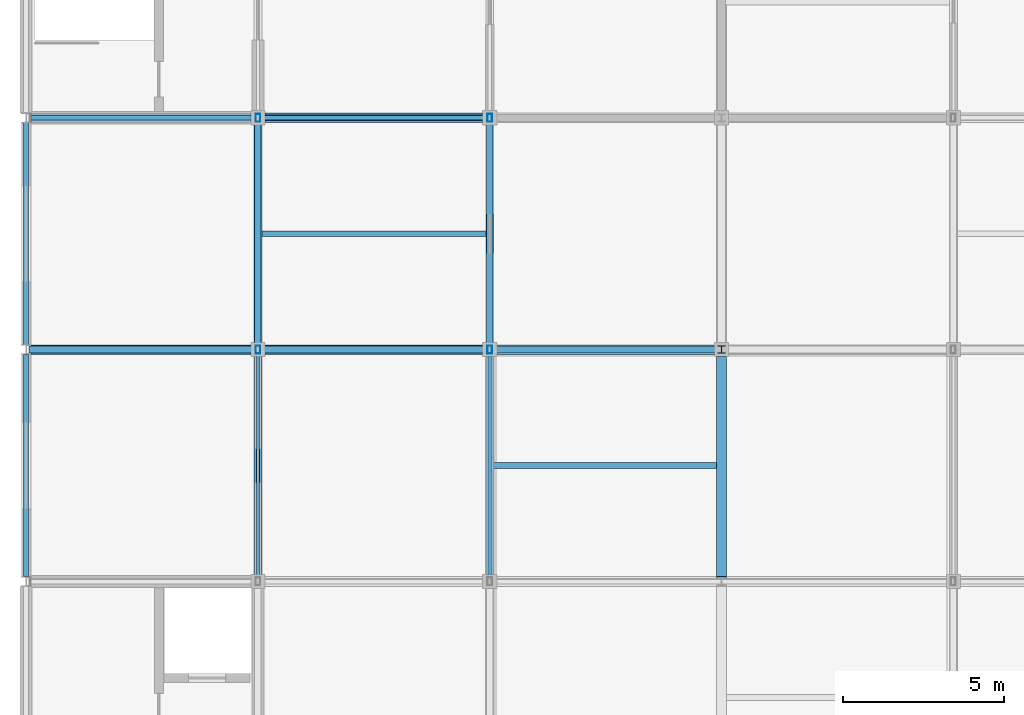
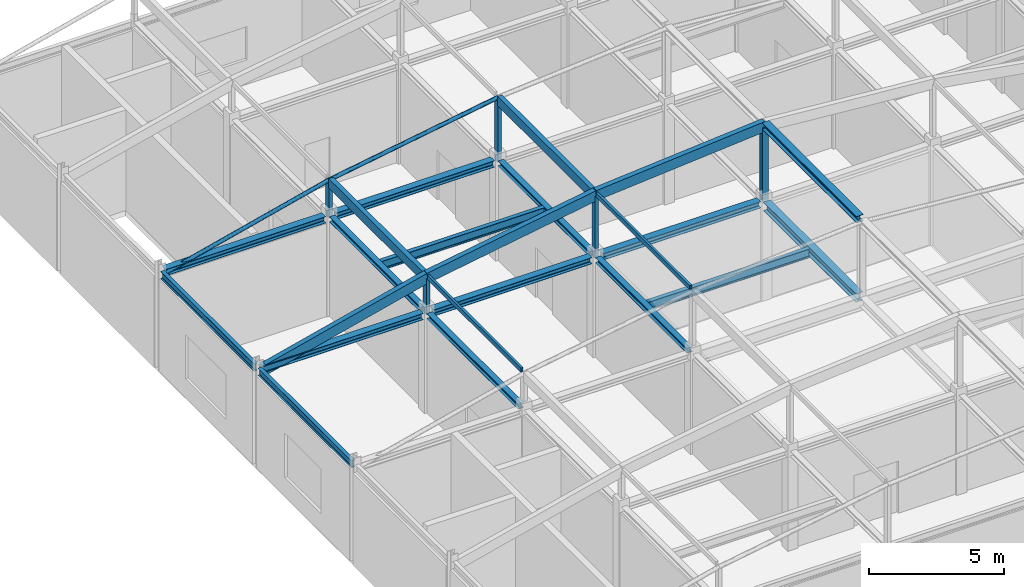
# One storey, part 9 of 23: 15 beams, 14 members.
"""IFC4 building model written with IfcOpenShell, lengths in metres."""

from ifc_helpers import new_model, si_unit, direction, frame, origin, origin_2d, place, context, subcontext, project, spatial, rectangle, hollow_rectangle, hollow_circle, i_section, extrude, material, material_profile, profile_set, type_object, element, save


model = new_model("IFC4")

# Units and contexts
model_context = context("Model", 3, precision=1e-05, world=origin(), true_north=direction((0.0, 1.0)))
body_context = subcontext(model_context, "Body", "Model", "MODEL_VIEW")
ifc_project = project(units=[si_unit("LENGTHUNIT", "METRE"), si_unit("AREAUNIT", "SQUARE_METRE"), si_unit("VOLUMEUNIT", "CUBIC_METRE"), si_unit("PLANEANGLEUNIT", "RADIAN"), si_unit("MASSUNIT", "GRAM", prefix="KILO")], contexts=[model_context])

# Site, building, storey
site_placement = place(None, origin())
site = spatial("IfcSite", under=ifc_project, at=site_placement, CompositionType="ELEMENT")
building_placement = place(site_placement, origin())
building = spatial("IfcBuilding", under=site, at=building_placement, Name="Cendaluz Park School", CompositionType="ELEMENT")
storey_placement = place(building_placement, frame((0.0, 0.0, 67.199951171875)))
storey = spatial("IfcBuildingStorey", under=building, at=storey_placement, Name="L16", CompositionType="ELEMENT", Elevation=67.199951171875)

# Beams
ifc_material_1 = material(Name="Steel S355", Category="steel")
ifc_material_profile_1 = material_profile(ifc_material_1, i_section(OverallWidth=0.300048828125, OverallDepth=0.39990234375, WebThickness=0.013916015625, FlangeThickness=0.02392578125, FilletRadius=0.027099609375, at=origin_2d()), Name="HEB 400", Category="steel")
ifc_profile_set_1 = profile_set([ifc_material_profile_1], Name="Steel S355")
beam_type_1 = type_object("IfcBeamType", Name="BM-ST02", PredefinedType="BEAM", material=ifc_profile_set_1)
beam_1_placement = place(storey_placement, frame((86.39990234375, 28.949951171875, 4.2900390625), z_axis=(0.0, 1.0, 0.0), x_axis=(-1.0, 0.0, 0.0)))
element("IfcBeam", 1, at=beam_1_placement, inside=storey, type_object=beam_type_1, Name="BM-L16-BMST02-0079", PredefinedType="BEAM", context=body_context, shape_type="SweptSolid", body=[
    extrude(i_section(OverallWidth=0.300048828125, OverallDepth=0.39990234375, WebThickness=0.013916015625, FlangeThickness=0.02392578125, FilletRadius=0.027099609375, at=origin_2d()), origin(), (0.0, 0.0, 1.0), 6.830078125),
])
ifc_material_profile_2 = material_profile(ifc_material_1, i_section(OverallWidth=0.300048828125, OverallDepth=0.300048828125, WebThickness=0.010986328125, FlangeThickness=0.01904296875, FilletRadius=0.027099609375, at=origin_2d()), Name="HEB 300", Category="steel")
ifc_profile_set_2 = profile_set([ifc_material_profile_2], Name="Steel S355")
beam_type_2 = type_object("IfcBeamType", Name="BM-ST03", PredefinedType="BEAM", material=ifc_profile_set_2)
beam_2_placement = place(storey_placement, frame((86.39990234375, 28.909912109375, 7.85009765625), z_axis=(0.0, 1.0, 0.0), x_axis=(-1.0, 0.0, 0.0)))
element("IfcBeam", 2, at=beam_2_placement, inside=storey, type_object=beam_type_2, Name="BM-L16-BMST03-0091", PredefinedType="BEAM", context=body_context, shape_type="SweptSolid", body=[
    extrude(i_section(OverallWidth=0.300048828125, OverallDepth=0.300048828125, WebThickness=0.010986328125, FlangeThickness=0.01904296875, FilletRadius=0.027099609375, at=origin_2d()), origin(), (0.0, 0.0, 1.0), 6.97998046875),
])
ifc_material_profile_3 = material_profile(ifc_material_1, i_section(OverallWidth=0.300048828125, OverallDepth=0.2900390625, WebThickness=0.009033203125, FlangeThickness=0.013916015625, FilletRadius=0.027099609375, at=origin_2d()), Name="HEA 300", Category="steel")
ifc_profile_set_3 = profile_set([ifc_material_profile_3], Name="Steel S355")
beam_type_3 = type_object("IfcBeamType", Name="BM-ST05", PredefinedType="BEAM", material=ifc_profile_set_3)
for number, where, z_axis, x_axis, name in (
    (3, (64.949951171875, 36.0, 4.344970703125), (1.0, 0.0, 0.0), (0.0, 1.0, 0.0), "BM-L16-BMST05-0003"),
    (4, (64.949951171875, 43.199951171875, 4.344970703125), (1.0, 0.0, 0.0), (0.0, 1.0, 0.0), "BM-L16-BMST05-0004"),
):
    element("IfcBeam", number, at=place(storey_placement, frame(where, z_axis=z_axis, x_axis=x_axis)), inside=storey, type_object=beam_type_3, Name=name, PredefinedType="BEAM", context=body_context, shape_type="SweptSolid", body=[
        extrude(i_section(OverallWidth=0.300048828125, OverallDepth=0.2900390625, WebThickness=0.009033203125, FlangeThickness=0.013916015625, FilletRadius=0.027099609375, at=origin_2d()), origin(), (0.0, 0.0, 1.0), 6.830078125),
    ])
for number, where, z_axis, x_axis, name in (
    (5, (72.219970703125, 36.0, 4.344970703125), (1.0, 0.0, 0.0), (0.0, 1.0, 0.0), "BM-L16-BMST05-0009"),
    (6, (72.219970703125, 43.199951171875, 4.344970703125), (1.0, 0.0, 0.0), (0.0, 1.0, 0.0), "BM-L16-BMST05-0010"),
    (7, (79.419921875, 36.0, 4.344970703125), (1.0, 0.0, 0.0), (0.0, 1.0, 0.0), "BM-L16-BMST05-0015"),
):
    element("IfcBeam", number, at=place(storey_placement, frame(where, z_axis=z_axis, x_axis=x_axis)), inside=storey, type_object=beam_type_3, Name=name, PredefinedType="BEAM", context=body_context, shape_type="SweptSolid", body=[
        extrude(i_section(OverallWidth=0.300048828125, OverallDepth=0.2900390625, WebThickness=0.009033203125, FlangeThickness=0.013916015625, FilletRadius=0.027099609375, at=origin_2d()), origin(), (0.0, 0.0, 1.0), 6.760009765625),
    ])
ifc_material_profile_4 = material_profile(ifc_material_1, i_section(OverallWidth=0.239990234375, OverallDepth=0.22998046875, WebThickness=0.008056640625, FlangeThickness=0.011962890625, FilletRadius=0.02099609375, at=origin_2d()), Name="HEA 240", Category="steel")
ifc_profile_set_4 = profile_set([ifc_material_profile_4], Name="Steel S355")
beam_type_4 = type_object("IfcBeamType", Name="BM-ST06", PredefinedType="BEAM", material=ifc_profile_set_4)
for number, where, z_axis, x_axis, name in (
    (8, (72.0, 29.02001953125, 4.375), (0.0, 1.0, 0.0), (-1.0, 0.0, 0.0), "BM-L16-BMST06-0045"),
    (9, (72.0, 36.219970703125, 4.375), (0.0, 1.0, 0.0), (-1.0, 0.0, 0.0), "BM-L16-BMST06-0046"),
    (10, (79.199951171875, 29.02001953125, 4.375), (0.0, 1.0, 0.0), (-1.0, 0.0, 0.0), "BM-L16-BMST06-0051"),
    (11, (79.199951171875, 36.219970703125, 4.375), (0.0, 1.0, 0.0), (-1.0, 0.0, 0.0), "BM-L16-BMST06-0052"),
):
    element("IfcBeam", number, at=place(storey_placement, frame(where, z_axis=z_axis, x_axis=x_axis)), inside=storey, type_object=beam_type_4, Name=name, PredefinedType="BEAM", context=body_context, shape_type="SweptSolid", body=[
        extrude(i_section(OverallWidth=0.239990234375, OverallDepth=0.22998046875, WebThickness=0.008056640625, FlangeThickness=0.011962890625, FilletRadius=0.02099609375, at=origin_2d()), origin(), (0.0, 0.0, 1.0), 6.760009765625),
    ])
ifc_material_profile_5 = material_profile(ifc_material_1, i_section(OverallWidth=0.179931640625, OverallDepth=0.39990234375, WebThickness=0.009033203125, FlangeThickness=0.013916015625, FilletRadius=0.02099609375, at=origin_2d()), Name="IPE 400", Category="steel")
ifc_profile_set_5 = profile_set([ifc_material_profile_5], Name="Steel S355")
beam_type_5 = type_object("IfcBeamType", Name="BM-ST07", PredefinedType="BEAM", material=ifc_profile_set_5)
beam_3_placement = place(storey_placement, frame((72.1201171875, 39.60009765625, 4.2900390625), z_axis=(1.0, 0.0, 0.0), x_axis=(0.0, 1.0, 0.0)))
element("IfcBeam", 12, at=beam_3_placement, inside=storey, type_object=beam_type_5, Name="BM-L16-BMST07-0081", PredefinedType="BEAM", context=body_context, shape_type="SweptSolid", body=[
    extrude(i_section(OverallWidth=0.179931640625, OverallDepth=0.39990234375, WebThickness=0.009033203125, FlangeThickness=0.013916015625, FilletRadius=0.02099609375, at=origin_2d()), origin(), (0.0, 0.0, 1.0), 6.9599609375),
])
beam_4_placement = place(storey_placement, frame((79.320068359375, 32.39990234375, 4.2900390625), z_axis=(1.0, 0.0, 0.0), x_axis=(0.0, 1.0, 0.0)))
element("IfcBeam", 13, at=beam_4_placement, inside=storey, type_object=beam_type_5, Name="BM-L16-BMST07-0082", PredefinedType="BEAM", context=body_context, shape_type="SweptSolid", body=[
    extrude(i_section(OverallWidth=0.179931640625, OverallDepth=0.39990234375, WebThickness=0.009033203125, FlangeThickness=0.013916015625, FilletRadius=0.02099609375, at=origin_2d()), origin(), (0.0, 0.0, 1.0), 6.929931640625),
])
ifc_material_profile_6 = material_profile(ifc_material_1, i_section(OverallWidth=0.159912109375, OverallDepth=0.330078125, WebThickness=0.008056640625, FlangeThickness=0.011962890625, FilletRadius=0.01806640625, at=origin_2d()), Name="IPE 330", Category="steel")
ifc_profile_set_6 = profile_set([ifc_material_profile_6], Name="Steel S355")
beam_type_6 = type_object("IfcBeamType", Name="BM-ST08", PredefinedType="LINTEL", material=ifc_profile_set_6)
for number, where, z_axis, x_axis, name in (
    (14, (64.800048828125, 28.949951171875, 4.324951171875), (0.0, 1.0, 0.0), (-1.0, 0.0, 0.0), "BM-L16-BMST08-0039"),
    (15, (64.800048828125, 36.14501953125, 4.324951171875), (0.0, 1.0, 0.0), (-1.0, 0.0, 0.0), "BM-L16-BMST08-0040"),
):
    element("IfcBeam", number, at=place(storey_placement, frame(where, z_axis=z_axis, x_axis=x_axis)), inside=storey, type_object=beam_type_6, Name=name, PredefinedType="LINTEL", context=body_context, shape_type="SweptSolid", body=[
        extrude(i_section(OverallWidth=0.159912109375, OverallDepth=0.330078125, WebThickness=0.008056640625, FlangeThickness=0.011962890625, FilletRadius=0.01806640625, at=origin_2d()), origin(), (0.0, 0.0, 1.0), 6.905029296875),
    ])

# Members
ifc_material_profile_7 = material_profile(ifc_material_1, hollow_circle(Radius=0.083984375, WallThickness=0.008056640625, at=origin_2d()), Name="CHS 168x8", Category="steel")
ifc_profile_set_7 = profile_set([ifc_material_profile_7], Name="Steel S355")
member_type_1 = type_object("IfcMemberType", Name="MB-CH02", PredefinedType="CHORD", material=ifc_profile_set_7)
member_1_placement = place(storey_placement, frame((64.93994140625, 43.199951171875, 4.219970703125), z_axis=(0.970304131105, 0.0, 0.241888183178), x_axis=(0.0, 1.0, 0.0)))
element("IfcMember", 16, at=member_1_placement, inside=storey, type_object=member_type_1, Name="MB-L16-MBCH02-0050", PredefinedType="CHORD", context=body_context, shape_type="SweptSolid", body=[
    extrude(hollow_circle(Radius=0.083984375, WallThickness=0.008056640625, at=origin_2d()), origin(), (0.0, 0.0, 1.0), 7.276123046875),
])
member_2_placement = place(storey_placement, frame((72.0, 43.199951171875, 5.97998046875), z_axis=(0.986394827799, 0.0, 0.164393563414), x_axis=(0.0, 1.0, 0.0)))
element("IfcMember", 17, at=member_2_placement, inside=storey, type_object=member_type_1, Name="MB-L16-MBCH02-0051", PredefinedType="CHORD", context=body_context, shape_type="SweptSolid", body=[
    extrude(hollow_circle(Radius=0.083984375, WallThickness=0.008056640625, at=origin_2d()), origin(), (0.0, 0.0, 1.0), 7.29931640625),
])
ifc_material_2 = material(Name="Glulam GL28h", Category="wood")
ifc_material_profile_8 = material_profile(ifc_material_2, rectangle(XDim=0.219970703125, YDim=0.4599609375, at=origin_2d()), Name="GL28h 220x460", Category="wood")
ifc_profile_set_8 = profile_set([ifc_material_profile_8], Name="Glulam GL28h")
member_type_2 = type_object("IfcMemberType", Name="MB-CH03", PredefinedType="CHORD", material=ifc_profile_set_8)
member_3_placement = place(storey_placement, frame((64.93994140625, 36.0, 4.219970703125), z_axis=(0.970304131105, 0.0, 0.241888183178), x_axis=(0.0, 1.0, 0.0)))
element("IfcMember", 18, at=member_3_placement, inside=storey, type_object=member_type_2, Name="MB-L16-MBCH03-0039", PredefinedType="CHORD", context=body_context, shape_type="SweptSolid", body=[
    extrude(rectangle(XDim=0.219970703125, YDim=0.4599609375, at=origin_2d()), origin(), (0.0, 0.0, 1.0), 7.276123046875),
])
member_4_placement = place(storey_placement, frame((72.0, 36.0, 5.97998046875), z_axis=(0.986394827799, 0.0, 0.164393563414), x_axis=(0.0, 1.0, 0.0)))
element("IfcMember", 19, at=member_4_placement, inside=storey, type_object=member_type_2, Name="MB-L16-MBCH03-0040", PredefinedType="CHORD", context=body_context, shape_type="SweptSolid", body=[
    extrude(rectangle(XDim=0.219970703125, YDim=0.4599609375, at=origin_2d()), origin(), (0.0, 0.0, 1.0), 7.29931640625),
])
member_5_placement = place(storey_placement, frame((79.199951171875, 36.0, 7.179931640625), z_axis=(0.996544592923, 0.0, 0.083059462528), x_axis=(0.0, 1.0, 0.0)))
element("IfcMember", 20, at=member_5_placement, inside=storey, type_object=member_type_2, Name="MB-L16-MBCH03-0041", PredefinedType="CHORD", context=body_context, shape_type="SweptSolid", body=[
    extrude(rectangle(XDim=0.219970703125, YDim=0.4599609375, at=origin_2d()), origin(), (0.0, 0.0, 1.0), 7.224853515625),
])
ifc_material_profile_9 = material_profile(ifc_material_1, hollow_rectangle(XDim=0.10009765625, YDim=0.199951171875, WallThickness=0.008056640625, at=origin_2d()), Name="RHS 200x100x8", Category="steel")
ifc_profile_set_9 = profile_set([ifc_material_profile_9], Name="Steel S355")
member_type_3 = type_object("IfcMemberType", Name="MB-PR03", PredefinedType="PURLIN", material=ifc_profile_set_9)
for number, where, z_axis, x_axis, name in (
    (21, (72.0, 28.93994140625, 6.050048828125), (0.0, 1.0, 0.0), (-1.0, 0.0, 0.0), "MB-L16-MBPR03-0086"),
    (22, (79.199951171875, 28.93994140625, 7.25), (0.0, 1.0, 0.0), (-1.0, 0.0, 0.0), "MB-L16-MBPR03-0087"),
):
    element("IfcMember", number, at=place(storey_placement, frame(where, z_axis=z_axis, x_axis=x_axis)), inside=storey, type_object=member_type_3, Name=name, PredefinedType="PURLIN", context=body_context, shape_type="SweptSolid", body=[
        extrude(hollow_rectangle(XDim=0.10009765625, YDim=0.199951171875, WallThickness=0.008056640625, at=origin_2d()), origin(), (0.0, 0.0, 1.0), 6.920166015625),
    ])
ifc_material_profile_10 = material_profile(ifc_material_2, rectangle(XDim=0.199951171875, YDim=0.419921875, at=origin_2d()), Name="GL28h 200x420", Category="wood")
ifc_profile_set_10 = profile_set([ifc_material_profile_10], Name="Glulam GL28h")
member_type_4 = type_object("IfcMemberType", Name="MB-PR04", PredefinedType="PURLIN", material=ifc_profile_set_10)
for number, where, z_axis, x_axis, name in (
    (23, (72.0, 36.139892578125, 5.93994140625), (0.0, 1.0, 0.0), (-1.0, 0.0, 0.0), "MB-L16-MBPR04-0090"),
    (24, (79.199951171875, 36.139892578125, 7.14013671875), (0.0, 1.0, 0.0), (-1.0, 0.0, 0.0), "MB-L16-MBPR04-0091"),
):
    element("IfcMember", number, at=place(storey_placement, frame(where, z_axis=z_axis, x_axis=x_axis)), inside=storey, type_object=member_type_4, Name=name, PredefinedType="PURLIN", context=body_context, shape_type="SweptSolid", body=[
        extrude(rectangle(XDim=0.199951171875, YDim=0.419921875, at=origin_2d()), origin(), (0.0, 0.0, 1.0), 6.920166015625),
    ])
ifc_material_profile_11 = material_profile(ifc_material_1, i_section(OverallWidth=0.239990234375, OverallDepth=0.22998046875, WebThickness=0.008056640625, FlangeThickness=0.011962890625, FilletRadius=0.02099609375, at=origin_2d()), Name="HEA 240", Category="steel")
ifc_profile_set_11 = profile_set([ifc_material_profile_11], Name="Steel S355")
member_type_5 = type_object("IfcMemberType", Name="MST-01", PredefinedType="STRUT", material=ifc_profile_set_11)
member_6_placement = place(storey_placement, frame((86.39990234375, 36.0, 4.35009765625), z_axis=(0.0, 0.0, 1.0), x_axis=(1.0, 0.0, 0.0)))
element("IfcMember", 25, at=member_6_placement, inside=storey, type_object=member_type_5, Name="MB-L16-MBST01-0034", PredefinedType="STRUT", context=body_context, shape_type="SweptSolid", body=[
    extrude(i_section(OverallWidth=0.239990234375, OverallDepth=0.22998046875, WebThickness=0.008056640625, FlangeThickness=0.011962890625, FilletRadius=0.02099609375, at=origin_2d()), origin(), (0.0, 0.0, 1.0), 3.429931640625),
])
ifc_material_profile_12 = material_profile(ifc_material_1, hollow_rectangle(XDim=0.14990234375, YDim=0.25, WallThickness=0.010009765625, at=origin_2d()), Name="RHS 250x150x10", Category="steel")
ifc_profile_set_12 = profile_set([ifc_material_profile_12], Name="Steel S355")
member_type_6 = type_object("IfcMemberType", Name="MST-02", PredefinedType="STRUT", material=ifc_profile_set_12)
member_7_placement = place(storey_placement, frame((72.0, 36.0, 4.35009765625), z_axis=(0.0, 0.0, 1.0), x_axis=(1.0, 0.0, 0.0)))
element("IfcMember", 26, at=member_7_placement, inside=storey, type_object=member_type_6, Name="MB-L16-MBST02-0035", PredefinedType="STRUT", context=body_context, shape_type="SweptSolid", body=[
    extrude(hollow_rectangle(XDim=0.14990234375, YDim=0.25, WallThickness=0.010009765625, at=origin_2d()), origin(), (0.0, 0.0, 1.0), 1.6298828125),
])
member_8_placement = place(storey_placement, frame((79.199951171875, 36.0, 4.35009765625), z_axis=(0.0, 0.0, 1.0), x_axis=(1.0, 0.0, 0.0)))
element("IfcMember", 27, at=member_8_placement, inside=storey, type_object=member_type_6, Name="MB-L16-MBST02-0036", PredefinedType="STRUT", context=body_context, shape_type="SweptSolid", body=[
    extrude(hollow_rectangle(XDim=0.14990234375, YDim=0.25, WallThickness=0.010009765625, at=origin_2d()), origin(), (0.0, 0.0, 1.0), 2.829833984375),
])
member_9_placement = place(storey_placement, frame((72.0, 43.199951171875, 4.35009765625), z_axis=(0.0, 0.0, 1.0), x_axis=(1.0, 0.0, 0.0)))
element("IfcMember", 28, at=member_9_placement, inside=storey, type_object=member_type_6, Name="MB-L16-MBST02-0046", PredefinedType="STRUT", context=body_context, shape_type="SweptSolid", body=[
    extrude(hollow_rectangle(XDim=0.14990234375, YDim=0.25, WallThickness=0.010009765625, at=origin_2d()), origin(), (0.0, 0.0, 1.0), 1.6298828125),
])
member_10_placement = place(storey_placement, frame((79.199951171875, 43.199951171875, 4.35009765625), z_axis=(0.0, 0.0, 1.0), x_axis=(1.0, 0.0, 0.0)))
element("IfcMember", 29, at=member_10_placement, inside=storey, type_object=member_type_6, Name="MB-L16-MBST02-0047", PredefinedType="STRUT", context=body_context, shape_type="SweptSolid", body=[
    extrude(hollow_rectangle(XDim=0.14990234375, YDim=0.25, WallThickness=0.010009765625, at=origin_2d()), origin(), (0.0, 0.0, 1.0), 2.829833984375),
])

save(model, "model.ifc")
